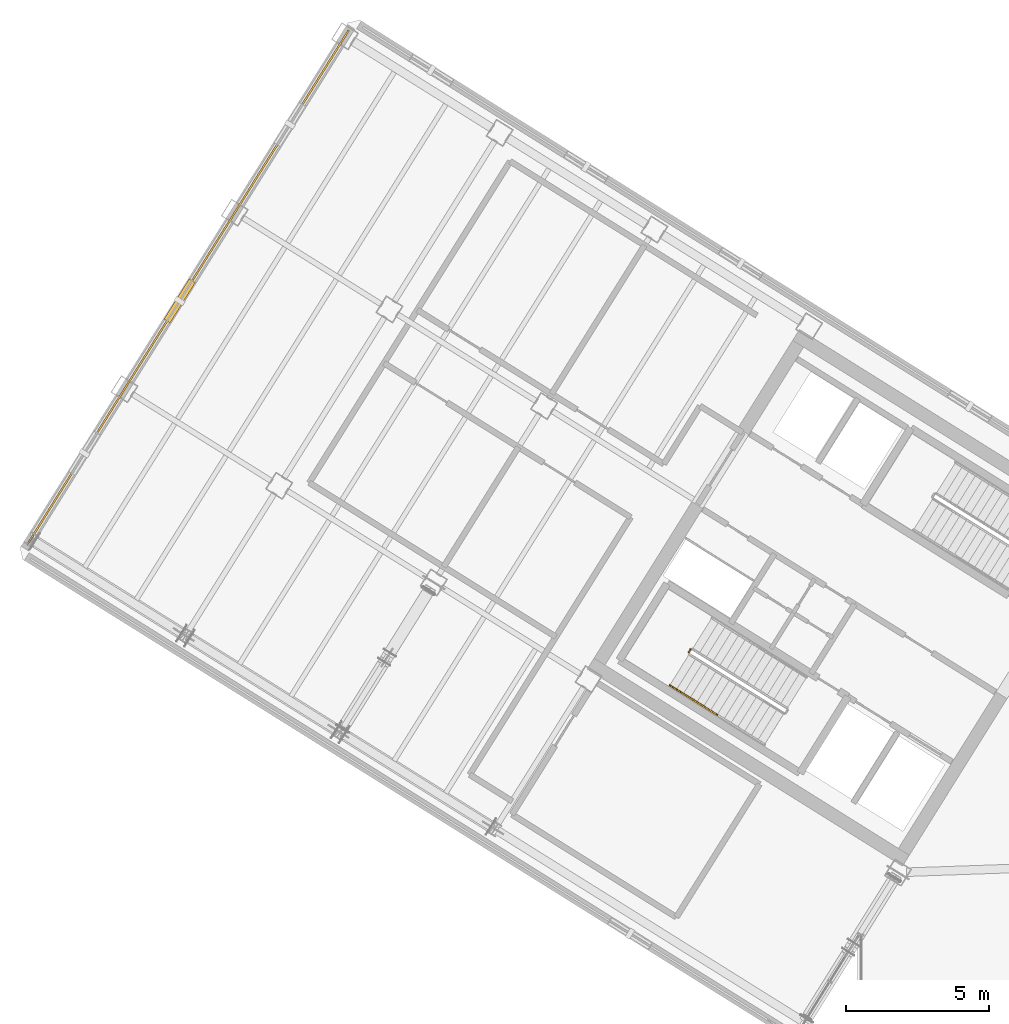
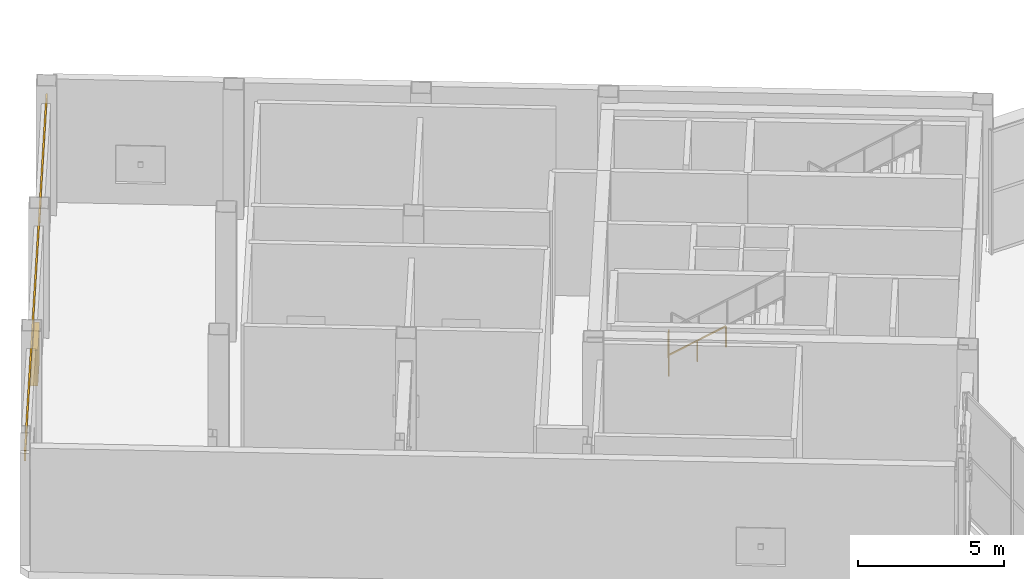
# One storey, part 27 of 32: 2 railings, 1 covering, 1 shading device.
"""IFC4 building model written with IfcOpenShell, lengths in metres."""

from ifc_helpers import new_model, si_unit, direction, frame, origin, origin_2d, place, context, subcontext, project, spatial, rectangle, extrude, source, transform, mapped, material, layer, layer_set, type_object, element, save


model = new_model("IFC4")

# Units and contexts
model_context = context("Model", 3, precision=1e-05, world=origin(), true_north=direction((0.0, 1.0)))
body_context = subcontext(model_context, "Body", "Model", "MODEL_VIEW")
ifc_project = project(units=[si_unit("LENGTHUNIT", "METRE"), si_unit("AREAUNIT", "SQUARE_METRE"), si_unit("VOLUMEUNIT", "CUBIC_METRE"), si_unit("PLANEANGLEUNIT", "RADIAN"), si_unit("MASSUNIT", "GRAM", prefix="KILO")], contexts=[model_context])

# Site, building, storey
site_placement = place(None, origin())
site = spatial("IfcSite", under=ifc_project, at=site_placement, CompositionType="ELEMENT")
building_placement = place(site_placement, origin())
building = spatial("IfcBuilding", under=site, at=building_placement, Name="Tlacorven Tower", CompositionType="ELEMENT")
storey_placement = place(building_placement, frame((0.0, 0.0, 245.699951171875)))
storey = spatial("IfcBuildingStorey", under=building, at=storey_placement, Name="L62", CompositionType="ELEMENT", Elevation=245.699951171875)

# Covering
ifc_material_1 = material(Name="Precast concrete C45/55", Category="concrete")
ifc_layer = layer(ifc_material_1, 0.06005859375)
ifc_layer_set = layer_set([ifc_layer], Name="Precast concrete C45/55")
covering_type = type_object("IfcCoveringType", Name="CV-CLD-TERC", PredefinedType="CLADDING", material=ifc_layer_set)
shared_shape_1 = source(origin(), body_context, "Body", "SweptSolid", [
    extrude(rectangle(XDim=21.287353515625, YDim=0.06005859375, at=origin_2d()), origin(), (0.0, 0.0, 1.0), 0.419921875),
])
covering_placement = place(storey_placement, frame((8.13427734375, 32.606201171875, 4.255126953125), z_axis=(0.0, 0.0, 1.0), x_axis=(0.529918940959, 0.84804829816, 0.0)))
element("IfcCovering", 1, at=covering_placement, inside=storey, type_object=covering_type, Name="L62 Masonry-Frame Spandrel Cladding 2", PredefinedType="CLADDING", context=body_context, shape_type="MappedRepresentation", body=[
    mapped(shared_shape_1, transform((0.0, 0.0, 0.0), scale=1.0)),
])

# Shading device
ifc_material_2 = material(Name="Anodised bronze aluminium acoustic louvre", Category="aluminium")
shading_device_type = type_object("IfcShadingDeviceType", Name="SH-LVR-WND", PredefinedType="JALOUSIE", material=ifc_material_2)
shared_shape_2 = source(origin(), body_context, "Body", "SweptSolid", [
    extrude(rectangle(XDim=1.659912109375, YDim=0.25, at=origin_2d()), origin(), (0.0, 0.0, 1.0), 1.5),
])
shading_device_placement = place(storey_placement, frame((7.8427734375, 32.1396484375, 0.900146484375), z_axis=(0.0, 0.0, 1.0), x_axis=(0.529918940959, 0.84804829816, 0.0)))
element("IfcShadingDevice", 2, at=shading_device_placement, inside=storey, type_object=shading_device_type, Name="L62 Storm-Resistant Acoustic Louvre Bank 2.2", PredefinedType="JALOUSIE", context=body_context, shape_type="MappedRepresentation", body=[
    mapped(shared_shape_2, transform((0.0, 0.0, 0.0), scale=1.0)),
])

# Railings
ifc_material_3 = material(Name="Aluminium and painted steel balustrade", Category="steel")
railing_type_1 = type_object("IfcRailingType", Name="RL-GRD-1100", PredefinedType="GUARDRAIL", material=ifc_material_3)
shared_shape_3 = source(origin(), body_context, "Body", "SweptSolid", [
    extrude(rectangle(XDim=0.048095703125, YDim=0.048095703125, at=origin_2d()), frame((0.0, 0.0, 1.076171875), z_axis=(-0.529084052582, -0.848569422795, 0.0), x_axis=(0.848569422795, -0.529084052582, 0.0)), (0.0, 0.0, 1.0), 0.119873046875),
    extrude(rectangle(XDim=0.0419921875, YDim=0.0419921875, at=origin_2d()), origin(), (0.0, 0.0, 1.0), 1.052001953125),
    extrude(rectangle(XDim=0.0419921875, YDim=0.0419921875, at=origin_2d()), frame((-0.0634765625, -0.101806640625, 0.0)), (0.0, 0.0, 1.0), 1.052001953125),
])
railing_1_placement = place(storey_placement, frame((25.767333984375, 19.913330078125, 2.699951171875)))
element("IfcRailing", 3, at=railing_1_placement, inside=storey, type_object=railing_type_1, Name="L62 ST-W1 stair guard 2", PredefinedType="GUARDRAIL", context=body_context, shape_type="MappedRepresentation", body=[
    mapped(shared_shape_3, transform((0.0, 0.0, 0.0), scale=1.0)),
])
railing_type_2 = type_object("IfcRailingType", Name="RL-HND-0900", PredefinedType="HANDRAIL", material=ifc_material_3)
shared_shape_4 = source(origin(), body_context, "Body", "SweptSolid", [
    extrude(rectangle(XDim=0.048095703125, YDim=0.048095703125, at=origin_2d()), frame((0.0, 0.0, 0.8759765625), z_axis=(0.713353726602, -0.445741297439, 0.540778287749), x_axis=(0.52990936055, 0.848054284584, 0.0)), (0.0, 0.0, 1.0), 2.330078125),
    extrude(rectangle(XDim=0.0419921875, YDim=0.0419921875, at=origin_2d()), origin(), (0.0, 0.0, 1.0), 0.851806640625),
    extrude(rectangle(XDim=0.0419921875, YDim=0.0419921875, at=origin_2d()), frame((0.8310546875, -0.519287109375, 0.6298828125)), (0.0, 0.0, 1.0), 0.851806640625),
    extrude(rectangle(XDim=0.0419921875, YDim=0.0419921875, at=origin_2d()), frame((1.662109375, -1.03857421875, 1.260009765625)), (0.0, 0.0, 1.0), 0.851806640625),
])
railing_2_placement = place(storey_placement, frame((25.04150390625, 18.656982421875, 2.880126953125)))
element("IfcRailing", 4, at=railing_2_placement, inside=storey, type_object=railing_type_2, Name="L62 ST-W1 stair handrail 3", PredefinedType="HANDRAIL", context=body_context, shape_type="MappedRepresentation", body=[
    mapped(shared_shape_4, transform((0.0, 0.0, 0.0), scale=1.0)),
])

save(model, "model.ifc")
